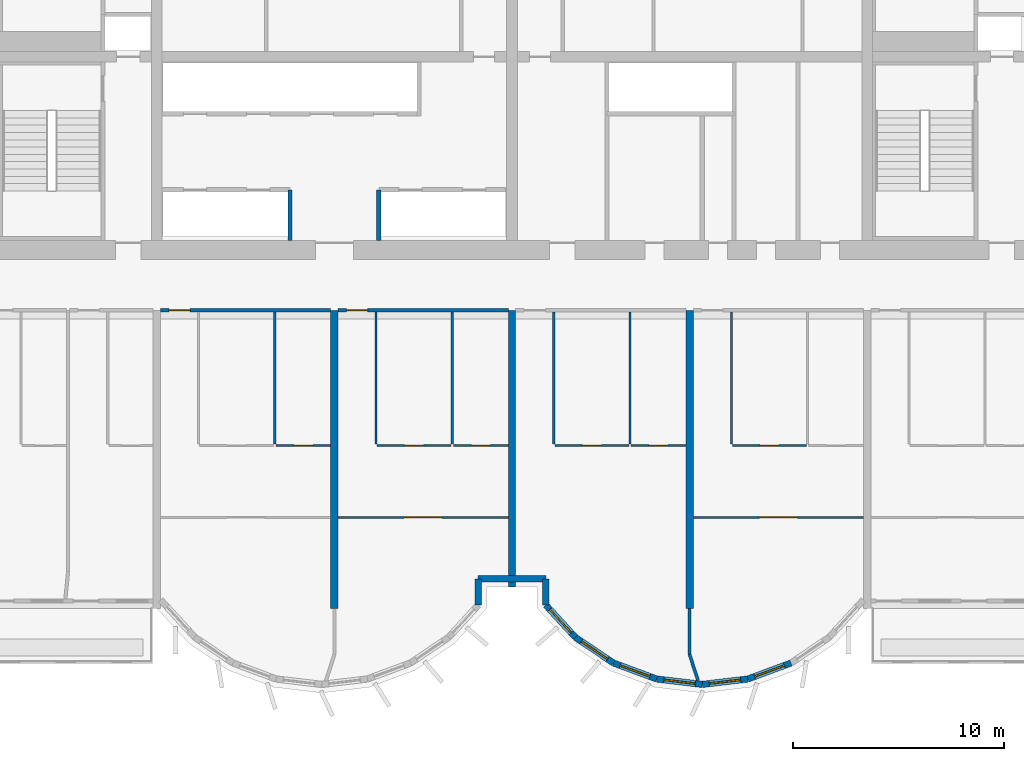
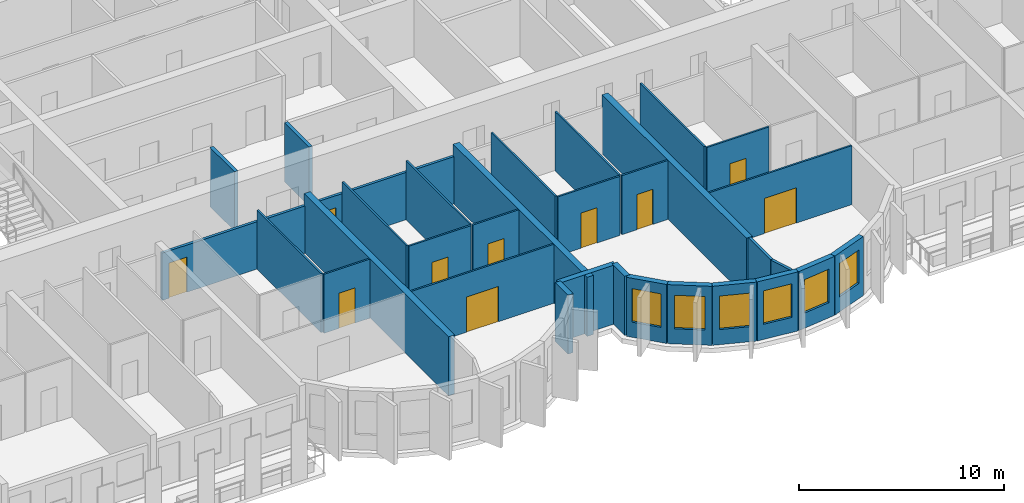
# One storey, part 5 of 15: 32 walls, 10 doors, 6 windows, 16 openings.
"""IFC4 building model written with IfcOpenShell, lengths in metres."""

from ifc_helpers import new_model, si_unit, direction, frame, frame_2d, origin, place, context, subcontext, project, spatial, rectangle, extrude, source, transform, mapped, material, layer, layer_set, type_object, element, fill, save


model = new_model("IFC4")

# Units and contexts
model_context = context("Model", 3, precision=1e-05, world=origin(), true_north=direction((0.0, 1.0)))
body_context = subcontext(model_context, "Body", "Model", "MODEL_VIEW")
ifc_project = project(units=[si_unit("LENGTHUNIT", "METRE"), si_unit("AREAUNIT", "SQUARE_METRE"), si_unit("VOLUMEUNIT", "CUBIC_METRE"), si_unit("PLANEANGLEUNIT", "RADIAN"), si_unit("MASSUNIT", "GRAM", prefix="KILO")], contexts=[model_context])

# Site, building, storey
site_placement = place(None, origin())
site = spatial("IfcSite", under=ifc_project, at=site_placement, CompositionType="ELEMENT")
building_placement = place(site_placement, origin())
building = spatial("IfcBuilding", under=site, at=building_placement, Name="Vanashikhar Sky Hotel", CompositionType="ELEMENT")
storey_placement = place(building_placement, frame((0.0, 0.0, 133.199951171875)))
storey = spatial("IfcBuildingStorey", under=building, at=storey_placement, Name="L32", CompositionType="ELEMENT", Elevation=133.199951171875)

# Walls
ifc_material_1 = material(Name="Concrete M70", Category="concrete")
ifc_layer_1 = layer(ifc_material_1, 0.35009765625)
ifc_layer_set_1 = layer_set([ifc_layer_1], Name="RC shear wall 350 Concrete M70")
wall_type_1 = type_object("IfcWallType", Name="RC shear wall 350 Concrete M70", PredefinedType="SHEAR", material=ifc_layer_set_1)
shared_shape_1 = source(origin(), body_context, "Body", "SweptSolid", [
    extrude(rectangle(XDim=14.10009765625, YDim=0.35009765625, at=frame_2d((7.050048828125, 0.0))), origin(), (0.0, 0.0, 1.0), 3.52001953125),
])
for number, where, z_axis, x_axis, name in (
    (1, (42.0, 5.5, 0.0), (0.0, 0.0, 1.0), (0.0, 1.0, 0.0), "CW-L32-XW06-1"),
    (2, (58.800048828125, 5.5, 0.0), (0.0, 0.0, 1.0), (0.0, 1.0, 0.0), "CW-L32-XW08-1"),
):
    element("IfcWall", number, at=place(storey_placement, frame(where, z_axis=z_axis, x_axis=x_axis)), inside=storey, type_object=wall_type_1, Name=name, PredefinedType="SHEAR", context=body_context, shape_type="MappedRepresentation", body=[
        mapped(shared_shape_1, transform((0.0, 0.0, 0.0), scale=1.0)),
    ])
shared_shape_2 = source(origin(), body_context, "Body", "SweptSolid", [
    extrude(rectangle(XDim=13.10009765625, YDim=0.35009765625, at=frame_2d((6.550048828125, 0.0))), origin(), (0.0, 0.0, 1.0), 3.52001953125),
])
wall_1_placement = place(storey_placement, frame((50.39990234375, 6.5, 0.0), z_axis=(0.0, 0.0, 1.0), x_axis=(0.0, 1.0, 0.0)))
element("IfcWall", 3, at=wall_1_placement, inside=storey, type_object=wall_type_1, Name="CW-L32-XW07-1", PredefinedType="SHEAR", context=body_context, shape_type="MappedRepresentation", body=[
    mapped(shared_shape_2, transform((0.0, 0.0, 0.0), scale=1.0)),
])

# Wall, opening, window
ifc_material_2 = material(Name="Concrete M50", Category="concrete")
ifc_layer_2 = layer(ifc_material_2, 0.300048828125)
ifc_layer_set_2 = layer_set([ifc_layer_2], Name="Lobe wall 300")
wall_type_2 = type_object("IfcWallType", Name="Lobe wall 300", PredefinedType="SOLIDWALL", material=ifc_layer_set_2)
shared_shape_3 = source(origin(), body_context, "Body", "SweptSolid", [
    extrude(rectangle(XDim=2.17578125, YDim=0.300048828125, at=frame_2d((1.087890625, 0.0))), origin(), (0.0, 0.0, 1.0), 3.52001953125),
])
wall_2_placement = place(storey_placement, frame((53.395751953125, 4.13134765625, 0.0), z_axis=(0.0, 0.0, 1.0), x_axis=(0.829590746428, -0.558371913192, 0.0)))
wall_2 = element("IfcWall", 4, at=wall_2_placement, inside=storey, type_object=wall_type_2, Name="Lobe wall", PredefinedType="SOLIDWALL", context=body_context, shape_type="MappedRepresentation", body=[
    mapped(shared_shape_3, transform((0.0, 0.0, 0.0), scale=1.0)),
])
shared_shape_4 = source(origin(), body_context, "Body", "SweptSolid", [
    extrude(rectangle(XDim=1.5, YDim=2.0, at=frame_2d((0.75, 1.0))), frame((0.0, 0.16015625, 0.0), z_axis=(0.0, -1.0, 0.0), x_axis=(1.0, 0.0, 0.0)), (0.0, 0.0, 1.0), 0.320068359375),
])
opening_1_placement = place(wall_2_placement, frame((0.337890625, 0.0, 0.89990234375)))
opening_1 = element("IfcOpeningElement", 5, at=opening_1_placement, cuts=wall_2, Name="Opening WN-2", PredefinedType="OPENING", context=body_context, shape_type="MappedRepresentation", body=[
    mapped(shared_shape_4, transform((0.0, 0.0, 0.0), scale=1.0)),
])
ifc_material_3 = material(Name="Glass", Category="glass")
window_type = type_object("IfcWindowType", Name="Lobe window 1500 x 2000", PartitioningType="SINGLE_PANEL", PredefinedType="WINDOW", material=ifc_material_3)
shared_shape_5 = source(origin(), body_context, "Body", "SweptSolid", [
    extrude(rectangle(XDim=1.5, YDim=2.0, at=frame_2d((0.75, 1.0))), frame((0.0, 0.030029296875, 0.0), z_axis=(0.0, -1.0, 0.0), x_axis=(1.0, 0.0, 0.0)), (0.0, 0.0, 1.0), 0.06005859375),
])
window_1_placement = place(opening_1_placement, origin())
window_1 = element("IfcWindow", 6, at=window_1_placement, inside=storey, type_object=window_type, Name="Window WN-2", OverallHeight=2.0, OverallWidth=1.5, PartitioningType="SINGLE_PANEL", PredefinedType="WINDOW", context=body_context, shape_type="MappedRepresentation", body=[
    mapped(shared_shape_5, transform((0.0, 0.0, 0.0), scale=1.0)),
])
fill(opening_1, window_1)

wall_3_placement = place(storey_placement, frame((55.20068359375, 2.91650390625, 0.0), z_axis=(0.0, 0.0, 1.0), x_axis=(0.93754555999, -0.347862505801, 0.0)))
wall_3 = element("IfcWall", 7, at=wall_3_placement, inside=storey, type_object=wall_type_2, Name="Lobe wall", PredefinedType="SOLIDWALL", context=body_context, shape_type="MappedRepresentation", body=[
    mapped(shared_shape_3, transform((0.0, 0.0, 0.0), scale=1.0)),
])
opening_2_placement = place(wall_3_placement, frame((0.337890625, 0.0, 0.89990234375)))
opening_2 = element("IfcOpeningElement", 8, at=opening_2_placement, cuts=wall_3, Name="Opening WN-2", PredefinedType="OPENING", context=body_context, shape_type="MappedRepresentation", body=[
    mapped(shared_shape_4, transform((0.0, 0.0, 0.0), scale=1.0)),
])
window_2_placement = place(opening_2_placement, origin())
window_2 = element("IfcWindow", 9, at=window_2_placement, inside=storey, type_object=window_type, Name="Window WN-2", OverallHeight=2.0, OverallWidth=1.5, PartitioningType="SINGLE_PANEL", PredefinedType="WINDOW", context=body_context, shape_type="MappedRepresentation", body=[
    mapped(shared_shape_5, transform((0.0, 0.0, 0.0), scale=1.0)),
])
fill(opening_2, window_2)

shared_shape_6 = source(origin(), body_context, "Body", "SweptSolid", [
    extrude(rectangle(XDim=2.174560546875, YDim=0.300048828125, at=frame_2d((1.08740234375, 0.0))), origin(), (0.0, 0.0, 1.0), 3.52001953125),
])
wall_4_placement = place(storey_placement, frame((57.240478515625, 2.15966796875, 0.0), z_axis=(0.0, 0.0, 1.0), x_axis=(0.993001132889, -0.118104826659, 0.0)))
wall_4 = element("IfcWall", 10, at=wall_4_placement, inside=storey, type_object=wall_type_2, Name="Lobe wall", PredefinedType="SOLIDWALL", context=body_context, shape_type="MappedRepresentation", body=[
    mapped(shared_shape_6, transform((0.0, 0.0, 0.0), scale=1.0)),
])
opening_3_placement = place(wall_4_placement, frame((0.33740234375, 0.0, 0.89990234375)))
opening_3 = element("IfcOpeningElement", 11, at=opening_3_placement, cuts=wall_4, Name="Opening WN-2", PredefinedType="OPENING", context=body_context, shape_type="MappedRepresentation", body=[
    mapped(shared_shape_4, transform((0.0, 0.0, 0.0), scale=1.0)),
])
window_3_placement = place(opening_3_placement, origin())
window_3 = element("IfcWindow", 12, at=window_3_placement, inside=storey, type_object=window_type, Name="Window WN-2", OverallHeight=2.0, OverallWidth=1.5, PartitioningType="SINGLE_PANEL", PredefinedType="WINDOW", context=body_context, shape_type="MappedRepresentation", body=[
    mapped(shared_shape_5, transform((0.0, 0.0, 0.0), scale=1.0)),
])
fill(opening_3, window_3)

shared_shape_7 = source(origin(), body_context, "Body", "SweptSolid", [
    extrude(rectangle(XDim=2.1748046875, YDim=0.300048828125, at=frame_2d((1.08740234375, 0.0))), origin(), (0.0, 0.0, 1.0), 3.52001953125),
])
wall_5_placement = place(storey_placement, frame((59.39990234375, 1.90283203125, 0.0), z_axis=(0.0, 0.0, 1.0), x_axis=(0.993002698611, 0.118091661648, 0.0)))
wall_5 = element("IfcWall", 13, at=wall_5_placement, inside=storey, type_object=wall_type_2, Name="Lobe wall", PredefinedType="SOLIDWALL", context=body_context, shape_type="MappedRepresentation", body=[
    mapped(shared_shape_7, transform((0.0, 0.0, 0.0), scale=1.0)),
])
opening_4_placement = place(wall_5_placement, frame((0.33740234375, 0.0, 0.89990234375)))
opening_4 = element("IfcOpeningElement", 14, at=opening_4_placement, cuts=wall_5, Name="Opening WN-2", PredefinedType="OPENING", context=body_context, shape_type="MappedRepresentation", body=[
    mapped(shared_shape_4, transform((0.0, 0.0, 0.0), scale=1.0)),
])
window_4_placement = place(opening_4_placement, origin())
window_4 = element("IfcWindow", 15, at=window_4_placement, inside=storey, type_object=window_type, Name="Window WN-2", OverallHeight=2.0, OverallWidth=1.5, PartitioningType="SINGLE_PANEL", PredefinedType="WINDOW", context=body_context, shape_type="MappedRepresentation", body=[
    mapped(shared_shape_5, transform((0.0, 0.0, 0.0), scale=1.0)),
])
fill(opening_4, window_4)

shared_shape_8 = source(origin(), body_context, "Body", "SweptSolid", [
    extrude(rectangle(XDim=2.175537109375, YDim=0.300048828125, at=frame_2d((1.087890625, 0.0))), origin(), (0.0, 0.0, 1.0), 3.52001953125),
])
wall_6_placement = place(storey_placement, frame((61.5595703125, 2.15966796875, 0.0), z_axis=(0.0, 0.0, 1.0), x_axis=(0.937531979054, 0.347899106424, 0.0)))
wall_6 = element("IfcWall", 16, at=wall_6_placement, inside=storey, type_object=wall_type_2, Name="Lobe wall", PredefinedType="SOLIDWALL", context=body_context, shape_type="MappedRepresentation", body=[
    mapped(shared_shape_8, transform((0.0, 0.0, 0.0), scale=1.0)),
])
opening_5_placement = place(wall_6_placement, frame((0.337890625, 0.0, 0.89990234375)))
opening_5 = element("IfcOpeningElement", 17, at=opening_5_placement, cuts=wall_6, Name="Opening WN-2", PredefinedType="OPENING", context=body_context, shape_type="MappedRepresentation", body=[
    mapped(shared_shape_4, transform((0.0, 0.0, 0.0), scale=1.0)),
])
window_5_placement = place(opening_5_placement, origin())
window_5 = element("IfcWindow", 18, at=window_5_placement, inside=storey, type_object=window_type, Name="Window WN-2", OverallHeight=2.0, OverallWidth=1.5, PartitioningType="SINGLE_PANEL", PredefinedType="WINDOW", context=body_context, shape_type="MappedRepresentation", body=[
    mapped(shared_shape_5, transform((0.0, 0.0, 0.0), scale=1.0)),
])
fill(opening_5, window_5)

shared_shape_9 = source(origin(), body_context, "Body", "SweptSolid", [
    extrude(rectangle(XDim=2.066650390625, YDim=0.300048828125, at=frame_2d((1.033203125, 0.0))), origin(), (0.0, 0.0, 1.0), 3.52001953125),
])
wall_7_placement = place(storey_placement, frame((52.0, 5.655517578125, 0.0), z_axis=(0.0, 0.0, 1.0), x_axis=(0.675355439877, -0.737492393065, 0.0)))
wall_7 = element("IfcWall", 19, at=wall_7_placement, inside=storey, type_object=wall_type_2, Name="Lobe wall", PredefinedType="SOLIDWALL", context=body_context, shape_type="MappedRepresentation", body=[
    mapped(shared_shape_9, transform((0.0, 0.0, 0.0), scale=1.0)),
])
opening_6_placement = place(wall_7_placement, frame((0.283447265625, 0.0, 0.89990234375)))
opening_6 = element("IfcOpeningElement", 20, at=opening_6_placement, cuts=wall_7, Name="Opening WN-2", PredefinedType="OPENING", context=body_context, shape_type="MappedRepresentation", body=[
    mapped(shared_shape_4, transform((0.0, 0.0, 0.0), scale=1.0)),
])
window_6_placement = place(opening_6_placement, origin())
window_6 = element("IfcWindow", 21, at=window_6_placement, inside=storey, type_object=window_type, Name="Window WN-2", OverallHeight=2.0, OverallWidth=1.5, PartitioningType="SINGLE_PANEL", PredefinedType="WINDOW", context=body_context, shape_type="MappedRepresentation", body=[
    mapped(shared_shape_5, transform((0.0, 0.0, 0.0), scale=1.0)),
])
fill(opening_6, window_6)

# Walls
shared_shape_10 = source(origin(), body_context, "Body", "SweptSolid", [
    extrude(rectangle(XDim=1.244384765625, YDim=0.300048828125, at=frame_2d((0.6220703125, 0.0))), origin(), (0.0, 0.0, 1.0), 3.52001953125),
])
for number, where, z_axis, x_axis, name in (
    (22, (48.800048828125, 5.655517578125, 0.0), (0.0, 0.0, 1.0), (0.0, 1.0, 0.0), "Groove wall"),
    (23, (52.0, 6.89990234375, 0.0), (0.0, 0.0, 1.0), (0.0, -1.0, 0.0), "Groove wall"),
):
    element("IfcWall", number, at=place(storey_placement, frame(where, z_axis=z_axis, x_axis=x_axis)), inside=storey, type_object=wall_type_2, Name=name, PredefinedType="SOLIDWALL", context=body_context, shape_type="MappedRepresentation", body=[
        mapped(shared_shape_10, transform((0.0, 0.0, 0.0), scale=1.0)),
    ])
shared_shape_11 = source(origin(), body_context, "Body", "SweptSolid", [
    extrude(rectangle(XDim=3.199951171875, YDim=0.300048828125, at=frame_2d((1.60009765625, 0.0))), origin(), (0.0, 0.0, 1.0), 3.52001953125),
])
wall_8_placement = place(storey_placement, frame((48.800048828125, 6.89990234375, 0.0), z_axis=(0.0, 0.0, 1.0), x_axis=(1.0, 0.0, 0.0)))
element("IfcWall", 24, at=wall_8_placement, inside=storey, type_object=wall_type_2, Name="Groove wall", PredefinedType="SOLIDWALL", context=body_context, shape_type="MappedRepresentation", body=[
    mapped(shared_shape_11, transform((0.0, 0.0, 0.0), scale=1.0)),
])
ifc_material_4 = material(Name="Concrete M40", Category="concrete")
ifc_layer_3 = layer(ifc_material_4, 0.199951171875)
ifc_layer_set_3 = layer_set([ifc_layer_3], Name="Shaft wall 200")
wall_type_3 = type_object("IfcWallType", Name="Shaft wall 200", PredefinedType="SOLIDWALL", material=ifc_layer_set_3)
shared_shape_12 = source(origin(), body_context, "Body", "SweptSolid", [
    extrude(rectangle(XDim=2.400146484375, YDim=0.199951171875, at=frame_2d((1.2001953125, 0.0))), origin(), (0.0, 0.0, 1.0), 3.52001953125),
])
for number, where, z_axis, x_axis, name in (
    (25, (39.89990234375, 22.89990234375, 0.0), (0.0, 0.0, 1.0), (0.0, 1.0, 0.0), "Shaft wall 200"),
    (26, (44.10009765625, 22.89990234375, 0.0), (0.0, 0.0, 1.0), (0.0, 1.0, 0.0), "Shaft wall 200"),
):
    element("IfcWall", number, at=place(storey_placement, frame(where, z_axis=z_axis, x_axis=x_axis)), inside=storey, type_object=wall_type_3, Name=name, PredefinedType="SOLIDWALL", context=body_context, shape_type="MappedRepresentation", body=[
        mapped(shared_shape_12, transform((0.0, 0.0, 0.0), scale=1.0)),
    ])
ifc_material_5 = material(Name="Gypsum plasterboard partition")
ifc_layer_4 = layer(ifc_material_5, 0.14990234375)
ifc_layer_set_4 = layer_set([ifc_layer_4], Name="Corridor and demising partition 150")
wall_type_4 = type_object("IfcWallType", Name="Corridor and demising partition 150", PredefinedType="PARTITIONING", material=ifc_layer_set_4)
shared_shape_13 = source(origin(), body_context, "Body", "SweptSolid", [
    extrude(rectangle(XDim=2.177978515625, YDim=0.14990234375, at=frame_2d((1.0888671875, 0.0))), origin(), (0.0, 0.0, 1.0), 3.52001953125),
])
wall_9_placement = place(storey_placement, frame((58.800048828125, 3.322021484375, 0.0), z_axis=(0.0, 0.0, 1.0), x_axis=(0.0, 1.0, 0.0)))
element("IfcWall", 27, at=wall_9_placement, inside=storey, type_object=wall_type_4, Name="W-L32-PW071", PredefinedType="PARTITIONING", context=body_context, shape_type="MappedRepresentation", body=[
    mapped(shared_shape_13, transform((0.0, 0.0, 0.0), scale=1.0)),
])

# Wall, opening, door
ifc_layer_5 = layer(ifc_material_5, 0.10009765625)
ifc_layer_set_5 = layer_set([ifc_layer_5], Name="Wet room partition 100")
wall_type_5 = type_object("IfcWallType", Name="Wet room partition 100", PredefinedType="PARTITIONING", material=ifc_layer_set_5)
shared_shape_14 = source(origin(), body_context, "Body", "SweptSolid", [
    extrude(rectangle(XDim=3.5, YDim=0.10009765625, at=frame_2d((1.75, 0.0))), origin(), (0.0, 0.0, 1.0), 3.52001953125),
])
wall_10_placement = place(storey_placement, frame((44.02490234375, 13.199951171875, 0.0), z_axis=(0.0, 0.0, 1.0), x_axis=(1.0, 0.0, 0.0)))
wall_10 = element("IfcWall", 28, at=wall_10_placement, inside=storey, type_object=wall_type_5, Name="W-L32-PW032", PredefinedType="PARTITIONING", context=body_context, shape_type="MappedRepresentation", body=[
    mapped(shared_shape_14, transform((0.0, 0.0, 0.0), scale=1.0)),
])
shared_shape_15 = source(origin(), body_context, "Body", "SweptSolid", [
    extrude(rectangle(XDim=0.89990234375, YDim=2.10009765625, at=frame_2d((0.449951171875, 1.050048828125))), frame((0.0, 0.06005859375, 0.0), z_axis=(0.0, -1.0, 0.0), x_axis=(1.0, 0.0, 0.0)), (0.0, 0.0, 1.0), 0.1201171875),
])
opening_7_placement = place(wall_10_placement, frame((1.300048828125, 0.0, 0.0)))
opening_7 = element("IfcOpeningElement", 29, at=opening_7_placement, cuts=wall_10, Name="Opening D-02", PredefinedType="OPENING", context=body_context, shape_type="MappedRepresentation", body=[
    mapped(shared_shape_15, transform((0.0, 0.0, 0.0), scale=1.0)),
])
ifc_material_6 = material(Name="Timber door", Category="wood")
door_type_1 = type_object("IfcDoorType", Name="Internal door 900", OperationType="NOTDEFINED", PredefinedType="DOOR", material=ifc_material_6)
shared_shape_16 = source(origin(), body_context, "Body", "SweptSolid", [
    extrude(rectangle(XDim=0.89990234375, YDim=2.10009765625, at=frame_2d((0.449951171875, 1.050048828125))), frame((0.0, 0.02490234375, 0.0), z_axis=(0.0, -1.0, 0.0), x_axis=(1.0, 0.0, 0.0)), (0.0, 0.0, 1.0), 0.050048828125),
])
door_1_placement = place(opening_7_placement, origin())
door_1 = element("IfcDoor", 30, at=door_1_placement, inside=storey, type_object=door_type_1, Name="D-L32-019", OperationType="SINGLE_SWING_LEFT", OverallHeight=2.10009765625, OverallWidth=0.89990234375, PredefinedType="DOOR", context=body_context, shape_type="MappedRepresentation", body=[
    mapped(shared_shape_16, transform((0.0, 0.0, 0.0), scale=1.0)),
])
fill(opening_7, door_1)

wall_11_placement = place(storey_placement, frame((52.425048828125, 13.199951171875, 0.0), z_axis=(0.0, 0.0, 1.0), x_axis=(1.0, 0.0, 0.0)))
wall_11 = element("IfcWall", 31, at=wall_11_placement, inside=storey, type_object=wall_type_5, Name="W-L32-PW038", PredefinedType="PARTITIONING", context=body_context, shape_type="MappedRepresentation", body=[
    mapped(shared_shape_14, transform((0.0, 0.0, 0.0), scale=1.0)),
])
opening_8_placement = place(wall_11_placement, frame((1.300048828125, 0.0, 0.0)))
opening_8 = element("IfcOpeningElement", 32, at=opening_8_placement, cuts=wall_11, Name="Opening D-02", PredefinedType="OPENING", context=body_context, shape_type="MappedRepresentation", body=[
    mapped(shared_shape_15, transform((0.0, 0.0, 0.0), scale=1.0)),
])
door_2_placement = place(opening_8_placement, origin())
door_2 = element("IfcDoor", 33, at=door_2_placement, inside=storey, type_object=door_type_1, Name="D-L32-023", OperationType="SINGLE_SWING_LEFT", OverallHeight=2.10009765625, OverallWidth=0.89990234375, PredefinedType="DOOR", context=body_context, shape_type="MappedRepresentation", body=[
    mapped(shared_shape_16, transform((0.0, 0.0, 0.0), scale=1.0)),
])
fill(opening_8, door_2)

wall_12_placement = place(storey_placement, frame((60.824951171875, 13.199951171875, 0.0), z_axis=(0.0, 0.0, 1.0), x_axis=(1.0, 0.0, 0.0)))
wall_12 = element("IfcWall", 34, at=wall_12_placement, inside=storey, type_object=wall_type_5, Name="W-L32-PW043", PredefinedType="PARTITIONING", context=body_context, shape_type="MappedRepresentation", body=[
    mapped(shared_shape_14, transform((0.0, 0.0, 0.0), scale=1.0)),
])
opening_9_placement = place(wall_12_placement, frame((1.300048828125, 0.0, 0.0)))
opening_9 = element("IfcOpeningElement", 35, at=opening_9_placement, cuts=wall_12, Name="Opening D-02", PredefinedType="OPENING", context=body_context, shape_type="MappedRepresentation", body=[
    mapped(shared_shape_15, transform((0.0, 0.0, 0.0), scale=1.0)),
])
door_3_placement = place(opening_9_placement, origin())
door_3 = element("IfcDoor", 36, at=door_3_placement, inside=storey, type_object=door_type_1, Name="D-L32-026", OperationType="SINGLE_SWING_LEFT", OverallHeight=2.10009765625, OverallWidth=0.89990234375, PredefinedType="DOOR", context=body_context, shape_type="MappedRepresentation", body=[
    mapped(shared_shape_16, transform((0.0, 0.0, 0.0), scale=1.0)),
])
fill(opening_9, door_3)

# Walls
shared_shape_17 = source(origin(), body_context, "Body", "SweptSolid", [
    extrude(rectangle(XDim=1.308349609375, YDim=0.14990234375, at=frame_2d((0.654296875, 0.0))), origin(), (0.0, 0.0, 1.0), 3.52001953125),
])
wall_13_placement = place(storey_placement, frame((59.201904296875, 2.076904296875, 0.0), z_axis=(0.0, 0.0, 1.0), x_axis=(-0.307144529633, 0.951662880392, 0.0)))
element("IfcWall", 37, at=wall_13_placement, inside=storey, type_object=wall_type_4, Name="W-L32-PW071B0", PredefinedType="PARTITIONING", context=body_context, shape_type="MappedRepresentation", body=[
    mapped(shared_shape_17, transform((0.0, 0.0, 0.0), scale=1.0)),
])
shared_shape_18 = source(origin(), body_context, "Body", "SweptSolid", [
    extrude(rectangle(XDim=6.25, YDim=0.10009765625, at=frame_2d((3.125, 0.0))), origin(), (0.0, 0.0, 1.0), 3.52001953125),
])
for number, where, z_axis, x_axis, name in (
    (38, (39.175048828125, 13.27490234375, 0.0), (0.0, 0.0, 1.0), (0.0, 1.0, 0.0), "W-L32-PW025"),
    (39, (43.97509765625, 13.27490234375, 0.0), (0.0, 0.0, 1.0), (0.0, 1.0, 0.0), "W-L32-PW030"),
    (40, (47.574951171875, 13.27490234375, 0.0), (0.0, 0.0, 1.0), (0.0, 1.0, 0.0), "W-L32-PW031"),
    (41, (52.375, 13.27490234375, 0.0), (0.0, 0.0, 1.0), (0.0, 1.0, 0.0), "W-L32-PW036"),
    (42, (55.97509765625, 13.27490234375, 0.0), (0.0, 0.0, 1.0), (0.0, 1.0, 0.0), "W-L32-PW037"),
    (43, (60.77490234375, 13.27490234375, 0.0), (0.0, 0.0, 1.0), (0.0, 1.0, 0.0), "W-L32-PW041"),
):
    element("IfcWall", number, at=place(storey_placement, frame(where, z_axis=z_axis, x_axis=x_axis)), inside=storey, type_object=wall_type_5, Name=name, PredefinedType="PARTITIONING", context=body_context, shape_type="MappedRepresentation", body=[
        mapped(shared_shape_18, transform((0.0, 0.0, 0.0), scale=1.0)),
    ])

# Wall, opening, door
shared_shape_19 = source(origin(), body_context, "Body", "SweptSolid", [
    extrude(rectangle(XDim=2.60009765625, YDim=0.10009765625, at=frame_2d((1.300048828125, 0.0))), origin(), (0.0, 0.0, 1.0), 3.52001953125),
])
wall_14_placement = place(storey_placement, frame((47.625, 13.199951171875, 0.0), z_axis=(0.0, 0.0, 1.0), x_axis=(1.0, 0.0, 0.0)))
wall_14 = element("IfcWall", 44, at=wall_14_placement, inside=storey, type_object=wall_type_5, Name="W-L32-PW033", PredefinedType="PARTITIONING", context=body_context, shape_type="MappedRepresentation", body=[
    mapped(shared_shape_19, transform((0.0, 0.0, 0.0), scale=1.0)),
])
opening_10_placement = place(wall_14_placement, frame((0.85009765625, 0.0, 0.0)))
opening_10 = element("IfcOpeningElement", 45, at=opening_10_placement, cuts=wall_14, Name="Opening D-02", PredefinedType="OPENING", context=body_context, shape_type="MappedRepresentation", body=[
    mapped(shared_shape_15, transform((0.0, 0.0, 0.0), scale=1.0)),
])
door_4_placement = place(opening_10_placement, origin())
door_4 = element("IfcDoor", 46, at=door_4_placement, inside=storey, type_object=door_type_1, Name="D-L32-020", OperationType="SINGLE_SWING_LEFT", OverallHeight=2.10009765625, OverallWidth=0.89990234375, PredefinedType="DOOR", context=body_context, shape_type="MappedRepresentation", body=[
    mapped(shared_shape_16, transform((0.0, 0.0, 0.0), scale=1.0)),
])
fill(opening_10, door_4)

wall_15_placement = place(storey_placement, frame((56.02490234375, 13.199951171875, 0.0), z_axis=(0.0, 0.0, 1.0), x_axis=(1.0, 0.0, 0.0)))
wall_15 = element("IfcWall", 47, at=wall_15_placement, inside=storey, type_object=wall_type_5, Name="W-L32-PW039", PredefinedType="PARTITIONING", context=body_context, shape_type="MappedRepresentation", body=[
    mapped(shared_shape_19, transform((0.0, 0.0, 0.0), scale=1.0)),
])
opening_11_placement = place(wall_15_placement, frame((0.85009765625, 0.0, 0.0)))
opening_11 = element("IfcOpeningElement", 48, at=opening_11_placement, cuts=wall_15, Name="Opening D-02", PredefinedType="OPENING", context=body_context, shape_type="MappedRepresentation", body=[
    mapped(shared_shape_15, transform((0.0, 0.0, 0.0), scale=1.0)),
])
door_5_placement = place(opening_11_placement, origin())
door_5 = element("IfcDoor", 49, at=door_5_placement, inside=storey, type_object=door_type_1, Name="D-L32-024", OperationType="SINGLE_SWING_LEFT", OverallHeight=2.10009765625, OverallWidth=0.89990234375, PredefinedType="DOOR", context=body_context, shape_type="MappedRepresentation", body=[
    mapped(shared_shape_16, transform((0.0, 0.0, 0.0), scale=1.0)),
])
fill(opening_11, door_5)

shared_shape_20 = source(origin(), body_context, "Body", "SweptSolid", [
    extrude(rectangle(XDim=8.050048828125, YDim=0.14990234375, at=frame_2d((4.02490234375, 0.0))), origin(), (0.0, 0.0, 1.0), 2.820068359375),
])
wall_16_placement = place(storey_placement, frame((33.77490234375, 19.60009765625, 0.0), z_axis=(0.0, 0.0, 1.0), x_axis=(1.0, 0.0, 0.0)))
wall_16 = element("IfcWall", 50, at=wall_16_placement, inside=storey, type_object=wall_type_4, Name="W-L32-PW029", PredefinedType="PARTITIONING", context=body_context, shape_type="MappedRepresentation", body=[
    mapped(shared_shape_20, transform((0.0, 0.0, 0.0), scale=1.0)),
])
shared_shape_21 = source(origin(), body_context, "Body", "SweptSolid", [
    extrude(rectangle(XDim=1.0, YDim=2.10009765625, at=frame_2d((0.5, 1.050048828125))), frame((0.0, 0.0849609375, 0.0), z_axis=(0.0, -1.0, 0.0), x_axis=(1.0, 0.0, 0.0)), (0.0, 0.0, 1.0), 0.169921875),
])
opening_12_placement = place(wall_16_placement, frame((0.39990234375, 0.0, 0.0)))
opening_12 = element("IfcOpeningElement", 51, at=opening_12_placement, cuts=wall_16, Name="Opening D-01", PredefinedType="OPENING", context=body_context, shape_type="MappedRepresentation", body=[
    mapped(shared_shape_21, transform((0.0, 0.0, 0.0), scale=1.0)),
])
ifc_material_7 = material(Name="Timber fire door", Category="wood")
door_type_2 = type_object("IfcDoorType", Name="Guest entry door 1000 FD30S", OperationType="NOTDEFINED", PredefinedType="DOOR", material=ifc_material_7)
shared_shape_22 = source(origin(), body_context, "Body", "SweptSolid", [
    extrude(rectangle(XDim=1.0, YDim=2.10009765625, at=frame_2d((0.5, 1.050048828125))), frame((0.0, 0.02490234375, 0.0), z_axis=(0.0, -1.0, 0.0), x_axis=(1.0, 0.0, 0.0)), (0.0, 0.0, 1.0), 0.050048828125),
])
door_6_placement = place(opening_12_placement, origin())
door_6 = element("IfcDoor", 52, at=door_6_placement, inside=storey, type_object=door_type_2, Name="D-L32-018", OperationType="SINGLE_SWING_LEFT", OverallHeight=2.10009765625, OverallWidth=1.0, PredefinedType="DOOR", context=body_context, shape_type="MappedRepresentation", body=[
    mapped(shared_shape_22, transform((0.0, 0.0, 0.0), scale=1.0)),
])
fill(opening_12, door_6)

wall_17_placement = place(storey_placement, frame((42.175048828125, 19.60009765625, 0.0), z_axis=(0.0, 0.0, 1.0), x_axis=(1.0, 0.0, 0.0)))
wall_17 = element("IfcWall", 53, at=wall_17_placement, inside=storey, type_object=wall_type_4, Name="W-L32-PW035", PredefinedType="PARTITIONING", context=body_context, shape_type="MappedRepresentation", body=[
    mapped(shared_shape_20, transform((0.0, 0.0, 0.0), scale=1.0)),
])
opening_13_placement = place(wall_17_placement, frame((0.39990234375, 0.0, 0.0)))
opening_13 = element("IfcOpeningElement", 54, at=opening_13_placement, cuts=wall_17, Name="Opening D-01", PredefinedType="OPENING", context=body_context, shape_type="MappedRepresentation", body=[
    mapped(shared_shape_21, transform((0.0, 0.0, 0.0), scale=1.0)),
])
door_7_placement = place(opening_13_placement, origin())
door_7 = element("IfcDoor", 55, at=door_7_placement, inside=storey, type_object=door_type_2, Name="D-L32-022", OperationType="SINGLE_SWING_LEFT", OverallHeight=2.10009765625, OverallWidth=1.0, PredefinedType="DOOR", context=body_context, shape_type="MappedRepresentation", body=[
    mapped(shared_shape_22, transform((0.0, 0.0, 0.0), scale=1.0)),
])
fill(opening_13, door_7)

shared_shape_23 = source(origin(), body_context, "Body", "SweptSolid", [
    extrude(rectangle(XDim=2.599853515625, YDim=0.10009765625, at=frame_2d((1.2998046875, 0.0))), origin(), (0.0, 0.0, 1.0), 3.52001953125),
])
wall_18_placement = place(storey_placement, frame((39.22509765625, 13.199951171875, 0.0), z_axis=(0.0, 0.0, 1.0), x_axis=(1.0, 0.0, 0.0)))
wall_18 = element("IfcWall", 56, at=wall_18_placement, inside=storey, type_object=wall_type_5, Name="W-L32-PW027", PredefinedType="PARTITIONING", context=body_context, shape_type="MappedRepresentation", body=[
    mapped(shared_shape_23, transform((0.0, 0.0, 0.0), scale=1.0)),
])
opening_14_placement = place(wall_18_placement, frame((0.85009765625, 0.0, 0.0)))
opening_14 = element("IfcOpeningElement", 57, at=opening_14_placement, cuts=wall_18, Name="Opening D-02", PredefinedType="OPENING", context=body_context, shape_type="MappedRepresentation", body=[
    mapped(shared_shape_15, transform((0.0, 0.0, 0.0), scale=1.0)),
])
door_8_placement = place(opening_14_placement, origin())
door_8 = element("IfcDoor", 58, at=door_8_placement, inside=storey, type_object=door_type_1, Name="D-L32-016", OperationType="SINGLE_SWING_LEFT", OverallHeight=2.10009765625, OverallWidth=0.89990234375, PredefinedType="DOOR", context=body_context, shape_type="MappedRepresentation", body=[
    mapped(shared_shape_16, transform((0.0, 0.0, 0.0), scale=1.0)),
])
fill(opening_14, door_8)

shared_shape_24 = source(origin(), body_context, "Body", "SweptSolid", [
    extrude(rectangle(XDim=8.050048828125, YDim=0.10009765625, at=frame_2d((4.02490234375, 0.0))), origin(), (0.0, 0.0, 1.0), 3.52001953125),
])
wall_19_placement = place(storey_placement, frame((42.175048828125, 9.802001953125, 0.0), z_axis=(0.0, 0.0, 1.0), x_axis=(1.0, 0.0, 0.0)))
wall_19 = element("IfcWall", 59, at=wall_19_placement, inside=storey, type_object=wall_type_5, Name="W-L32-PW034", PredefinedType="PARTITIONING", context=body_context, shape_type="MappedRepresentation", body=[
    mapped(shared_shape_24, transform((0.0, 0.0, 0.0), scale=1.0)),
])
shared_shape_25 = source(origin(), body_context, "Body", "SweptSolid", [
    extrude(rectangle(XDim=1.800048828125, YDim=2.10009765625, at=frame_2d((0.89990234375, 1.050048828125))), frame((0.0, 0.06005859375, 0.0), z_axis=(0.0, -1.0, 0.0), x_axis=(1.0, 0.0, 0.0)), (0.0, 0.0, 1.0), 0.1201171875),
])
opening_15_placement = place(wall_19_placement, frame((3.125, 0.0, 0.0)))
opening_15 = element("IfcOpeningElement", 60, at=opening_15_placement, cuts=wall_19, Name="Opening D-08", PredefinedType="OPENING", context=body_context, shape_type="MappedRepresentation", body=[
    mapped(shared_shape_25, transform((0.0, 0.0, 0.0), scale=1.0)),
])
door_type_3 = type_object("IfcDoorType", Name="Double leaf door 1800", OperationType="NOTDEFINED", PredefinedType="DOOR", material=ifc_material_6)
shared_shape_26 = source(origin(), body_context, "Body", "SweptSolid", [
    extrude(rectangle(XDim=1.800048828125, YDim=2.10009765625, at=frame_2d((0.89990234375, 1.050048828125))), frame((0.0, 0.02490234375, 0.0), z_axis=(0.0, -1.0, 0.0), x_axis=(1.0, 0.0, 0.0)), (0.0, 0.0, 1.0), 0.050048828125),
])
door_9_placement = place(opening_15_placement, origin())
door_9 = element("IfcDoor", 61, at=door_9_placement, inside=storey, type_object=door_type_3, Name="D-L32-021", OperationType="DOUBLE_DOOR_SINGLE_SWING", OverallHeight=2.10009765625, OverallWidth=1.800048828125, PredefinedType="DOOR", context=body_context, shape_type="MappedRepresentation", body=[
    mapped(shared_shape_26, transform((0.0, 0.0, 0.0), scale=1.0)),
])
fill(opening_15, door_9)

shared_shape_27 = source(origin(), body_context, "Body", "SweptSolid", [
    extrude(rectangle(XDim=8.0498046875, YDim=0.10009765625, at=frame_2d((4.02490234375, 0.0))), origin(), (0.0, 0.0, 1.0), 3.52001953125),
])
wall_20_placement = place(storey_placement, frame((58.97509765625, 9.802001953125, 0.0), z_axis=(0.0, 0.0, 1.0), x_axis=(1.0, 0.0, 0.0)))
wall_20 = element("IfcWall", 62, at=wall_20_placement, inside=storey, type_object=wall_type_5, Name="W-L32-PW045", PredefinedType="PARTITIONING", context=body_context, shape_type="MappedRepresentation", body=[
    mapped(shared_shape_27, transform((0.0, 0.0, 0.0), scale=1.0)),
])
opening_16_placement = place(wall_20_placement, frame((3.125, 0.0, 0.0)))
opening_16 = element("IfcOpeningElement", 63, at=opening_16_placement, cuts=wall_20, Name="Opening D-08", PredefinedType="OPENING", context=body_context, shape_type="MappedRepresentation", body=[
    mapped(shared_shape_25, transform((0.0, 0.0, 0.0), scale=1.0)),
])
door_10_placement = place(opening_16_placement, origin())
door_10 = element("IfcDoor", 64, at=door_10_placement, inside=storey, type_object=door_type_3, Name="D-L32-028", OperationType="DOUBLE_DOOR_SINGLE_SWING", OverallHeight=2.10009765625, OverallWidth=1.800048828125, PredefinedType="DOOR", context=body_context, shape_type="MappedRepresentation", body=[
    mapped(shared_shape_26, transform((0.0, 0.0, 0.0), scale=1.0)),
])
fill(opening_16, door_10)

save(model, "model.ifc")
